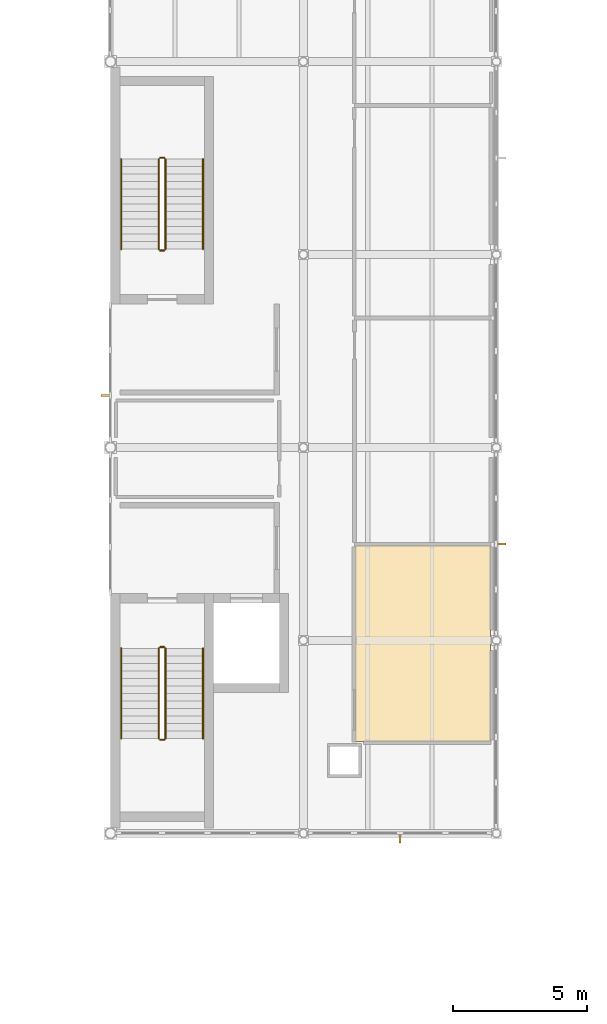
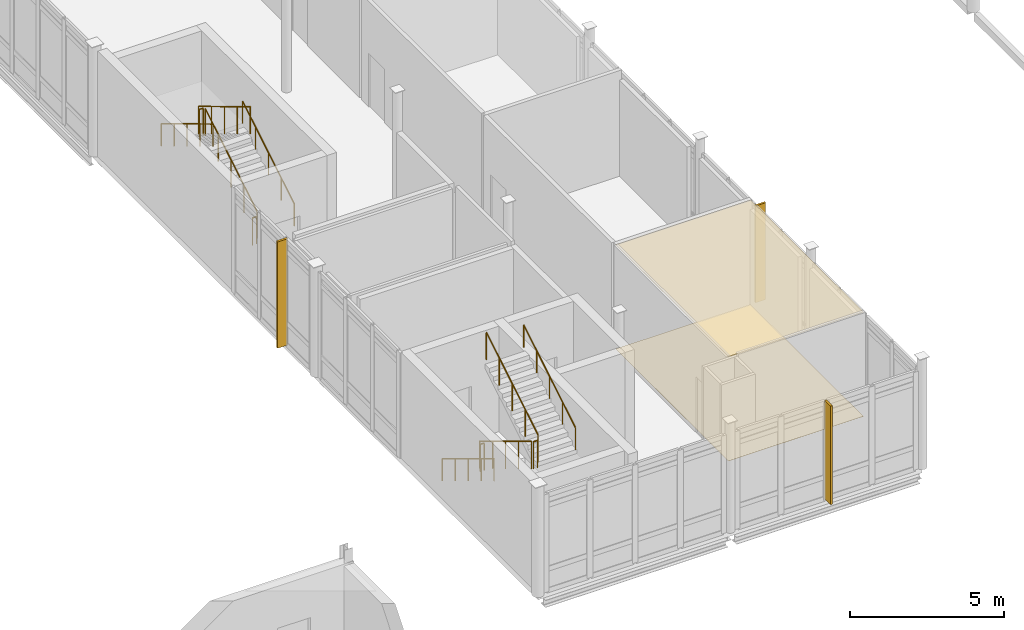
# One storey, part 70 of 76: 12 railings, 3 shading devices, 2 coverings.
"""IFC4 building model written with IfcOpenShell, lengths in metres."""

from ifc_helpers import new_model, si_unit, direction, frame, origin, origin_2d, place, context, subcontext, project, spatial, polyline, rectangle, circle, outline, extrude, material, layer, layer_set, type_object, element, save


model = new_model("IFC4")

# Units and contexts
model_context = context("Model", 3, precision=1e-05, world=origin(), true_north=direction((0.0, 1.0)))
body_context = subcontext(model_context, "Body", "Model", "MODEL_VIEW")
ifc_project = project(units=[si_unit("LENGTHUNIT", "METRE"), si_unit("AREAUNIT", "SQUARE_METRE"), si_unit("VOLUMEUNIT", "CUBIC_METRE"), si_unit("PLANEANGLEUNIT", "RADIAN"), si_unit("MASSUNIT", "GRAM", prefix="KILO")], contexts=[model_context])

# Site, building, storey
site_placement = place(None, origin())
site = spatial("IfcSite", under=ifc_project, at=site_placement, CompositionType="ELEMENT")
building_placement = place(site_placement, origin())
building = spatial("IfcBuilding", under=site, at=building_placement, Name="Zarrinpeak Specialist Clinic", CompositionType="ELEMENT")
storey_placement = place(building_placement, frame((0.0, 0.0, 5.199951171875)))
storey = spatial("IfcBuildingStorey", under=building, at=storey_placement, Name="L01", CompositionType="ELEMENT", Elevation=5.199951171875)

# Coverings
ifc_material_1 = material(Name="Hygienic Acoustic Mineral Fibre Tile")
ifc_layer_1 = layer(ifc_material_1, 0.02490234375)
ifc_layer_set_1 = layer_set([ifc_layer_1], Name="Hygienic Acoustic Mineral Fibre Tile")
covering_type_1 = type_object("IfcCoveringType", Name="CV-CEIL-AC", PredefinedType="CEILING", material=ifc_layer_set_1)
covering_1_placement = place(storey_placement, frame((0.0, 0.0, 4.130126953125)))
element("IfcCovering", 1, at=covering_1_placement, inside=storey, type_object=covering_type_1, Name="L01 Occupational Therapy ADL Gallery Hygienic Acoustic Ceiling", PredefinedType="CEILING", context=body_context, shape_type="SweptSolid", body=[
    extrude(outline(polyline([(102.719970703125, 32.219970703125), (107.780029296875, 32.219970703125), (107.780029296875, 39.550048828125), (102.719970703125, 39.550048828125), (102.719970703125, 32.219970703125)])), origin(), (0.0, 0.0, 1.0), 0.02490234375),
])
ifc_material_2 = material(Name="Homogeneous Antimicrobial Clinical Vinyl")
ifc_layer_2 = layer(ifc_material_2, 0.008056640625)
ifc_layer_set_2 = layer_set([ifc_layer_2], Name="Homogeneous Antimicrobial Clinical Vinyl")
covering_type_2 = type_object("IfcCoveringType", Name="CV-FLR-VN", PredefinedType="FLOORING", material=ifc_layer_set_2)
covering_2_placement = place(storey_placement, frame((0.0, 0.0, 0.0009765625)))
element("IfcCovering", 2, at=covering_2_placement, inside=storey, type_object=covering_type_2, Name="L01 Occupational Therapy ADL Gallery Antimicrobial Vinyl Flooring", PredefinedType="FLOORING", context=body_context, shape_type="SweptSolid", body=[
    extrude(outline(polyline([(102.719970703125, 32.219970703125), (107.780029296875, 32.219970703125), (107.780029296875, 39.550048828125), (102.719970703125, 39.550048828125), (102.719970703125, 32.219970703125)])), origin(), (0.0, 0.0, 1.0), 0.008056640625),
])

# Railings
ifc_material_3 = material(Name="Laminated Safety Glass and Stainless Steel 316", Category="steel")
ifc_layer_3 = layer(ifc_material_3, 0.06005859375)
ifc_layer_set_3 = layer_set([ifc_layer_3], Name="Laminated Safety Glass and Stainless Steel 316")
railing_type_1 = type_object("IfcRailingType", Name="RL-GRD115", PredefinedType="GUARDRAIL", material=ifc_layer_set_3)
railing_1_placement = place(storey_placement, frame((95.39990234375, 35.699951171875, 0.169189453125)))
element("IfcRailing", 3, at=railing_1_placement, inside=storey, type_object=railing_type_1, Name="L01 ST-05 stair guard 1", PredefinedType="GUARDRAIL", context=body_context, shape_type="SweptSolid", body=[
    extrude(circle(Radius=0.02392578125, at=origin_2d()), frame((0.0, 0.0, 1.076171875), z_axis=(0.0, -0.855820338506, 0.51727318527), x_axis=(1.0, 0.0, 0.0)), (0.0, 0.0, 1.0), 3.92578125),
    extrude(circle(Radius=0.02099609375, at=origin_2d()), origin(), (0.0, 0.0, 1.0), 1.052001953125),
    extrude(circle(Radius=0.02099609375, at=origin_2d()), frame((0.0, -0.83984375, 0.5078125)), (0.0, 0.0, 1.0), 1.052001953125),
    extrude(circle(Radius=0.02099609375, at=origin_2d()), frame((0.0, -1.679931640625, 1.015380859375)), (0.0, 0.0, 1.0), 1.052001953125),
    extrude(circle(Radius=0.02099609375, at=origin_2d()), frame((0.0, -2.52001953125, 1.52294921875)), (0.0, 0.0, 1.0), 1.052001953125),
    extrude(circle(Radius=0.02099609375, at=origin_2d()), frame((0.0, -3.35986328125, 2.03076171875)), (0.0, 0.0, 1.0), 1.052001953125),
])
railing_2_placement = place(storey_placement, frame((95.449951171875, 32.2900390625, 2.199951171875)))
element("IfcRailing", 4, at=railing_2_placement, inside=storey, type_object=railing_type_1, Name="L01 ST-05 stair guard 2", PredefinedType="GUARDRAIL", context=body_context, shape_type="SweptSolid", body=[
    extrude(circle(Radius=0.02392578125, at=origin_2d()), frame((0.0, 0.0, 1.076171875), z_axis=(1.0, 0.0, 0.0), x_axis=(0.0, 1.0, 0.0)), (0.0, 0.0, 1.0), 0.150146484375),
    extrude(circle(Radius=0.02099609375, at=origin_2d()), origin(), (0.0, 0.0, 1.0), 1.052001953125),
    extrude(circle(Radius=0.02099609375, at=origin_2d()), frame((0.150146484375, 0.0, 0.0)), (0.0, 0.0, 1.0), 1.052001953125),
])
railing_3_placement = place(storey_placement, frame((95.64990234375, 32.340087890625, 2.369384765625)))
element("IfcRailing", 5, at=railing_3_placement, inside=storey, type_object=railing_type_1, Name="L01 ST-05 stair guard 3", PredefinedType="GUARDRAIL", context=body_context, shape_type="SweptSolid", body=[
    extrude(circle(Radius=0.02392578125, at=origin_2d()), frame((0.0, 0.0, 1.076171875), z_axis=(0.0, 0.855820338506, 0.51727318527), x_axis=(-1.0, 0.0, 0.0)), (0.0, 0.0, 1.0), 3.92578125),
    extrude(circle(Radius=0.02099609375, at=origin_2d()), origin(), (0.0, 0.0, 1.0), 1.052001953125),
    extrude(circle(Radius=0.02099609375, at=origin_2d()), frame((0.0, 0.83984375, 0.5078125)), (0.0, 0.0, 1.0), 1.052001953125),
    extrude(circle(Radius=0.02099609375, at=origin_2d()), frame((0.0, 1.679931640625, 1.015380859375)), (0.0, 0.0, 1.0), 1.052001953125),
    extrude(circle(Radius=0.02099609375, at=origin_2d()), frame((0.0, 2.52001953125, 1.52294921875)), (0.0, 0.0, 1.0), 1.052001953125),
    extrude(circle(Radius=0.02099609375, at=origin_2d()), frame((0.0, 3.35986328125, 2.03076171875)), (0.0, 0.0, 1.0), 1.052001953125),
])
railing_4_placement = place(storey_placement, frame((95.449951171875, 35.75, 0.0)))
element("IfcRailing", 6, at=railing_4_placement, inside=storey, type_object=railing_type_1, Name="L01 ST-05 stair guard 4", PredefinedType="GUARDRAIL", context=body_context, shape_type="SweptSolid", body=[
    extrude(circle(Radius=0.02392578125, at=origin_2d()), frame((0.0, 0.0, 1.076171875), z_axis=(1.0, 0.0, 0.0), x_axis=(0.0, 1.0, 0.0)), (0.0, 0.0, 1.0), 0.150146484375),
    extrude(circle(Radius=0.02099609375, at=origin_2d()), origin(), (0.0, 0.0, 1.0), 1.052001953125),
    extrude(circle(Radius=0.02099609375, at=origin_2d()), frame((0.150146484375, 0.0, 0.0)), (0.0, 0.0, 1.0), 1.052001953125),
])
railing_5_placement = place(storey_placement, frame((95.64990234375, 50.60009765625, 0.169189453125)))
element("IfcRailing", 7, at=railing_5_placement, inside=storey, type_object=railing_type_1, Name="L01 ST-06 stair guard 1", PredefinedType="GUARDRAIL", context=body_context, shape_type="SweptSolid", body=[
    extrude(circle(Radius=0.02392578125, at=origin_2d()), frame((0.0, 0.0, 1.076171875), z_axis=(0.0, 0.855820338506, 0.51727318527), x_axis=(-1.0, 0.0, 0.0)), (0.0, 0.0, 1.0), 3.92578125),
    extrude(circle(Radius=0.02099609375, at=origin_2d()), origin(), (0.0, 0.0, 1.0), 1.052001953125),
    extrude(circle(Radius=0.02099609375, at=origin_2d()), frame((0.0, 0.83984375, 0.5078125)), (0.0, 0.0, 1.0), 1.052001953125),
    extrude(circle(Radius=0.02099609375, at=origin_2d()), frame((0.0, 1.679931640625, 1.015380859375)), (0.0, 0.0, 1.0), 1.052001953125),
    extrude(circle(Radius=0.02099609375, at=origin_2d()), frame((0.0, 2.52001953125, 1.52294921875)), (0.0, 0.0, 1.0), 1.052001953125),
    extrude(circle(Radius=0.02099609375, at=origin_2d()), frame((0.0, 3.35986328125, 2.03076171875)), (0.0, 0.0, 1.0), 1.052001953125),
])
railing_6_placement = place(storey_placement, frame((95.60009765625, 54.010009765625, 2.199951171875)))
element("IfcRailing", 8, at=railing_6_placement, inside=storey, type_object=railing_type_1, Name="L01 ST-06 stair guard 2", PredefinedType="GUARDRAIL", context=body_context, shape_type="SweptSolid", body=[
    extrude(circle(Radius=0.02392578125, at=origin_2d()), frame((0.0, 0.0, 1.076171875), z_axis=(-1.0, 0.0, 0.0), x_axis=(0.0, -1.0, 0.0)), (0.0, 0.0, 1.0), 0.150146484375),
    extrude(circle(Radius=0.02099609375, at=origin_2d()), origin(), (0.0, 0.0, 1.0), 1.052001953125),
    extrude(circle(Radius=0.02099609375, at=origin_2d()), frame((-0.150146484375, 0.0, 0.0)), (0.0, 0.0, 1.0), 1.052001953125),
])
railing_7_placement = place(storey_placement, frame((95.39990234375, 53.9599609375, 2.369384765625)))
element("IfcRailing", 9, at=railing_7_placement, inside=storey, type_object=railing_type_1, Name="L01 ST-06 stair guard 3", PredefinedType="GUARDRAIL", context=body_context, shape_type="SweptSolid", body=[
    extrude(circle(Radius=0.02392578125, at=origin_2d()), frame((0.0, 0.0, 1.076171875), z_axis=(0.0, -0.855820338506, 0.51727318527), x_axis=(1.0, 0.0, 0.0)), (0.0, 0.0, 1.0), 3.92578125),
    extrude(circle(Radius=0.02099609375, at=origin_2d()), origin(), (0.0, 0.0, 1.0), 1.052001953125),
    extrude(circle(Radius=0.02099609375, at=origin_2d()), frame((0.0, -0.83984375, 0.5078125)), (0.0, 0.0, 1.0), 1.052001953125),
    extrude(circle(Radius=0.02099609375, at=origin_2d()), frame((0.0, -1.679931640625, 1.015380859375)), (0.0, 0.0, 1.0), 1.052001953125),
    extrude(circle(Radius=0.02099609375, at=origin_2d()), frame((0.0, -2.52001953125, 1.52294921875)), (0.0, 0.0, 1.0), 1.052001953125),
    extrude(circle(Radius=0.02099609375, at=origin_2d()), frame((0.0, -3.35986328125, 2.03076171875)), (0.0, 0.0, 1.0), 1.052001953125),
])
railing_8_placement = place(storey_placement, frame((95.60009765625, 50.550048828125, 0.0)))
element("IfcRailing", 10, at=railing_8_placement, inside=storey, type_object=railing_type_1, Name="L01 ST-06 stair guard 4", PredefinedType="GUARDRAIL", context=body_context, shape_type="SweptSolid", body=[
    extrude(circle(Radius=0.02392578125, at=origin_2d()), frame((0.0, 0.0, 1.076171875), z_axis=(-1.0, 0.0, 0.0), x_axis=(0.0, -1.0, 0.0)), (0.0, 0.0, 1.0), 0.150146484375),
    extrude(circle(Radius=0.02099609375, at=origin_2d()), origin(), (0.0, 0.0, 1.0), 1.052001953125),
    extrude(circle(Radius=0.02099609375, at=origin_2d()), frame((-0.150146484375, 0.0, 0.0)), (0.0, 0.0, 1.0), 1.052001953125),
])
ifc_material_4 = material(Name="Brushed Stainless Steel 316 Handrail", Category="steel")
ifc_layer_4 = layer(ifc_material_4, 0.050048828125)
ifc_layer_set_4 = layer_set([ifc_layer_4], Name="Brushed Stainless Steel 316 Handrail")
railing_type_2 = type_object("IfcRailingType", Name="RL-HND92", PredefinedType="HANDRAIL", material=ifc_layer_set_4)
railing_9_placement = place(storey_placement, frame((94.0, 35.699951171875, 0.169189453125)))
element("IfcRailing", 11, at=railing_9_placement, inside=storey, type_object=railing_type_2, Name="L01 ST-05 stair handrail 1", PredefinedType="HANDRAIL", context=body_context, shape_type="SweptSolid", body=[
    extrude(circle(Radius=0.02392578125, at=origin_2d()), frame((0.0, 0.0, 0.8759765625), z_axis=(0.0, -0.855820338506, 0.51727318527), x_axis=(1.0, 0.0, 0.0)), (0.0, 0.0, 1.0), 3.92578125),
    extrude(circle(Radius=0.02099609375, at=origin_2d()), origin(), (0.0, 0.0, 1.0), 0.851806640625),
    extrude(circle(Radius=0.02099609375, at=origin_2d()), frame((0.0, -0.83984375, 0.5078125)), (0.0, 0.0, 1.0), 0.851806640625),
    extrude(circle(Radius=0.02099609375, at=origin_2d()), frame((0.0, -1.679931640625, 1.015380859375)), (0.0, 0.0, 1.0), 0.851806640625),
    extrude(circle(Radius=0.02099609375, at=origin_2d()), frame((0.0, -2.52001953125, 1.52294921875)), (0.0, 0.0, 1.0), 0.851806640625),
    extrude(circle(Radius=0.02099609375, at=origin_2d()), frame((0.0, -3.35986328125, 2.03076171875)), (0.0, 0.0, 1.0), 0.851806640625),
])
for number, where, name in (
    (12, (97.050048828125, 32.340087890625, 2.369384765625), "L01 ST-05 stair handrail 2"),
    (13, (97.050048828125, 50.60009765625, 0.169189453125), "L01 ST-06 stair handrail 1"),
):
    element("IfcRailing", number, at=place(storey_placement, frame(where)), inside=storey, type_object=railing_type_2, Name=name, PredefinedType="HANDRAIL", context=body_context, shape_type="SweptSolid", body=[
        extrude(circle(Radius=0.02392578125, at=origin_2d()), frame((0.0, 0.0, 0.8759765625), z_axis=(0.0, 0.855820338506, 0.51727318527), x_axis=(-1.0, 0.0, 0.0)), (0.0, 0.0, 1.0), 3.92578125),
        extrude(circle(Radius=0.02099609375, at=origin_2d()), origin(), (0.0, 0.0, 1.0), 0.851806640625),
        extrude(circle(Radius=0.02099609375, at=origin_2d()), frame((0.0, 0.83984375, 0.5078125)), (0.0, 0.0, 1.0), 0.851806640625),
        extrude(circle(Radius=0.02099609375, at=origin_2d()), frame((0.0, 1.679931640625, 1.015380859375)), (0.0, 0.0, 1.0), 0.851806640625),
        extrude(circle(Radius=0.02099609375, at=origin_2d()), frame((0.0, 2.52001953125, 1.52294921875)), (0.0, 0.0, 1.0), 0.851806640625),
        extrude(circle(Radius=0.02099609375, at=origin_2d()), frame((0.0, 3.35986328125, 2.03076171875)), (0.0, 0.0, 1.0), 0.851806640625),
    ])
railing_10_placement = place(storey_placement, frame((94.0, 53.9599609375, 2.369384765625)))
element("IfcRailing", 14, at=railing_10_placement, inside=storey, type_object=railing_type_2, Name="L01 ST-06 stair handrail 2", PredefinedType="HANDRAIL", context=body_context, shape_type="SweptSolid", body=[
    extrude(circle(Radius=0.02392578125, at=origin_2d()), frame((0.0, 0.0, 0.8759765625), z_axis=(0.0, -0.855820338506, 0.51727318527), x_axis=(1.0, 0.0, 0.0)), (0.0, 0.0, 1.0), 3.92578125),
    extrude(circle(Radius=0.02099609375, at=origin_2d()), origin(), (0.0, 0.0, 1.0), 0.851806640625),
    extrude(circle(Radius=0.02099609375, at=origin_2d()), frame((0.0, -0.83984375, 0.5078125)), (0.0, 0.0, 1.0), 0.851806640625),
    extrude(circle(Radius=0.02099609375, at=origin_2d()), frame((0.0, -1.679931640625, 1.015380859375)), (0.0, 0.0, 1.0), 0.851806640625),
    extrude(circle(Radius=0.02099609375, at=origin_2d()), frame((0.0, -2.52001953125, 1.52294921875)), (0.0, 0.0, 1.0), 0.851806640625),
    extrude(circle(Radius=0.02099609375, at=origin_2d()), frame((0.0, -3.35986328125, 2.03076171875)), (0.0, 0.0, 1.0), 0.851806640625),
])

# Shading devices
ifc_material_5 = material(Name="Anodised Bronze Aluminium", Category="aluminium")
shading_device_type = type_object("IfcShadingDeviceType", Name="SHD-FIN-BZ", PredefinedType="JALOUSIE", material=ifc_material_5)
shading_device_1_placement = place(storey_placement, frame((104.39990234375, 28.635009765625, -0.01513671875), z_axis=(0.0, 0.0, 1.0), x_axis=(1.0, 0.0, 0.0)))
element("IfcShadingDevice", 15, at=shading_device_1_placement, inside=storey, type_object=shading_device_type, Name="L01 V3 Solar Control Fin FIN-063", PredefinedType="JALOUSIE", context=body_context, shape_type="SweptSolid", body=[
    extrude(rectangle(XDim=0.074951171875, YDim=0.3798828125, at=origin_2d()), origin(), (0.0, 0.0, 1.0), 3.909912109375),
])
shading_device_2_placement = place(storey_placement, frame((93.43505859375, 45.135498046875, -0.01513671875), z_axis=(0.0, 0.0, 1.0), x_axis=(1.0, 0.0, 0.0)))
element("IfcShadingDevice", 16, at=shading_device_2_placement, inside=storey, type_object=shading_device_type, Name="L01 V3 Solar Control Fin FIN-064", PredefinedType="JALOUSIE", context=body_context, shape_type="SweptSolid", body=[
    extrude(rectangle(XDim=0.3798828125, YDim=0.074951171875, at=origin_2d()), origin(), (0.0, 0.0, 1.0), 4.215087890625),
])
shading_device_3_placement = place(storey_placement, frame((108.1650390625, 39.60009765625, -0.01513671875), z_axis=(0.0, 0.0, 1.0), x_axis=(1.0, 0.0, 0.0)))
element("IfcShadingDevice", 17, at=shading_device_3_placement, inside=storey, type_object=shading_device_type, Name="L01 V3 Solar Control Fin FIN-066", PredefinedType="JALOUSIE", context=body_context, shape_type="SweptSolid", body=[
    extrude(rectangle(XDim=0.3798828125, YDim=0.074951171875, at=origin_2d()), origin(), (0.0, 0.0, 1.0), 3.840087890625),
])

save(model, "model.ifc")
